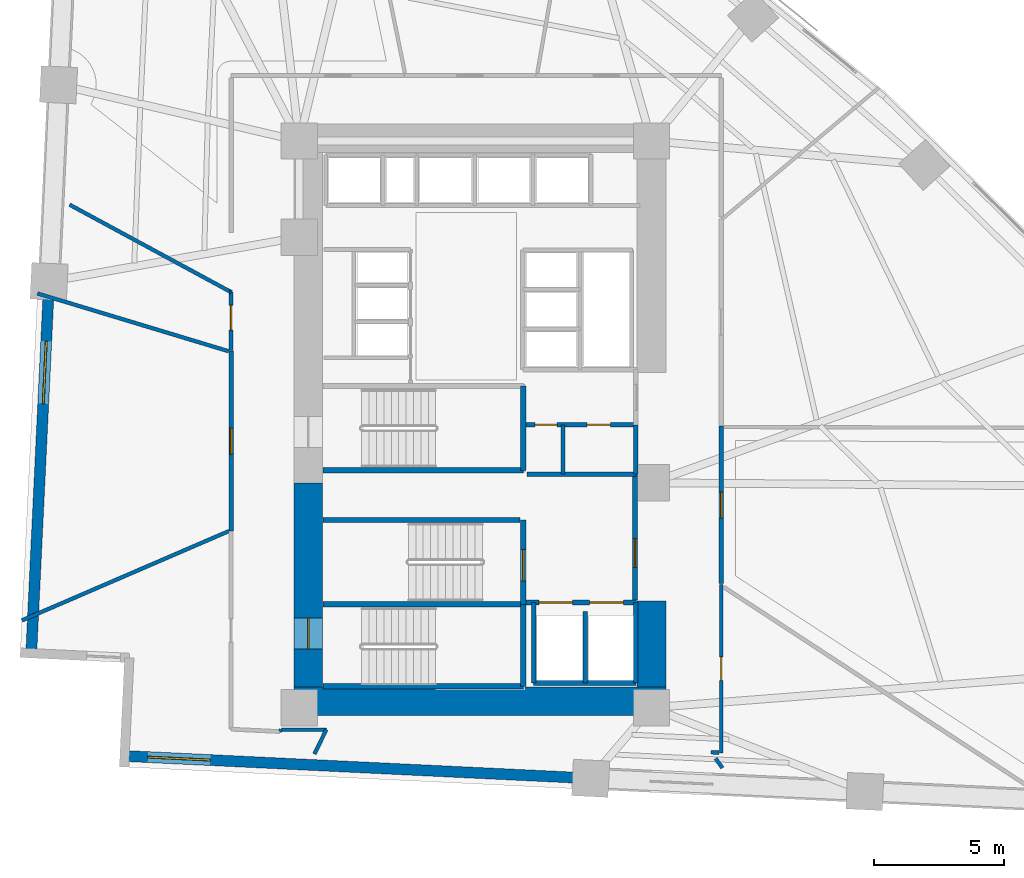
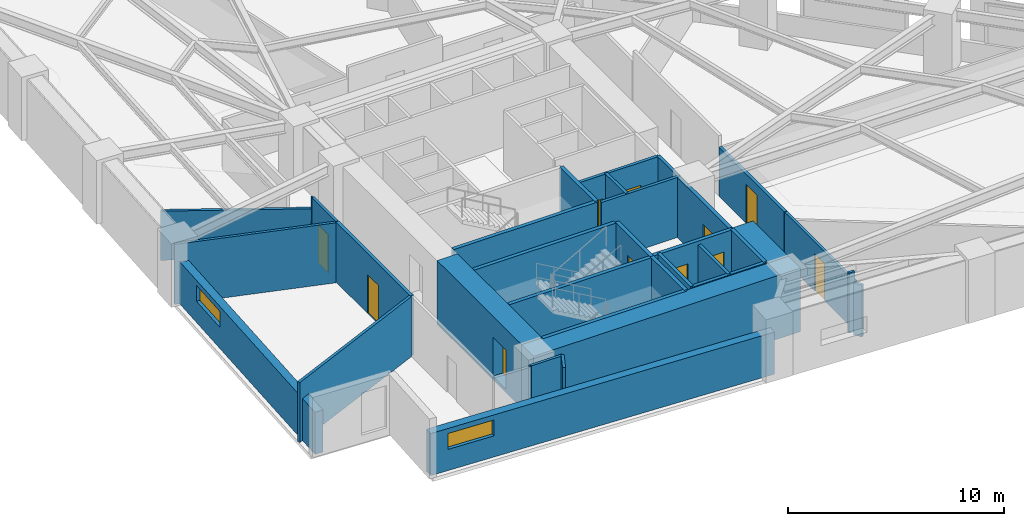
# One storey, part 13 of 17: 35 walls, 11 doors, 2 windows, 13 openings.
"""IFC4 building model written with IfcOpenShell, lengths in metres."""

from ifc_helpers import new_model, si_unit, direction, frame, frame_2d, origin, place, context, subcontext, project, spatial, rectangle, extrude, material, layer, layer_set, type_object, element, fill, save


model = new_model("IFC4")

# Units and contexts
model_context = context("Model", 3, precision=1e-05, world=origin(), true_north=direction((0.0, 1.0)))
body_context = subcontext(model_context, "Body", "Model", "MODEL_VIEW")
ifc_project = project(units=[si_unit("LENGTHUNIT", "METRE"), si_unit("AREAUNIT", "SQUARE_METRE"), si_unit("VOLUMEUNIT", "CUBIC_METRE"), si_unit("PLANEANGLEUNIT", "RADIAN"), si_unit("MASSUNIT", "GRAM", prefix="KILO")], contexts=[model_context])

# Site, building, storey
site_placement = place(None, origin())
site = spatial("IfcSite", under=ifc_project, at=site_placement, CompositionType="ELEMENT")
building_placement = place(site_placement, origin())
building = spatial("IfcBuilding", under=site, at=building_placement, Name="Narakoshi Arena Tower", CompositionType="ELEMENT")
storey_placement = place(building_placement, frame((0.0, 0.0, 41.10009765625)))
storey = spatial("IfcBuildingStorey", under=building, at=storey_placement, Name="L10", CompositionType="ELEMENT", Elevation=41.10009765625)

# Wall, opening, door
ifc_material_1 = material(Name="Concrete C60/75", Category="concrete")
ifc_layer_1 = layer(ifc_material_1, 1.10009765625)
ifc_layer_set_1 = layer_set([ifc_layer_1], Name="Concrete C60/75")
wall_type_1 = type_object("IfcWallType", Name="WL-CORE-1100", PredefinedType="SHEAR", material=ifc_layer_set_1)
wall_1_placement = place(storey_placement, frame((72.35009765625, 35.5, -0.2001953125), z_axis=(0.0, 0.0, 1.0), x_axis=(0.0, 1.0, 0.0)))
wall_1 = element("IfcWall", 1, at=wall_1_placement, inside=storey, type_object=wall_type_1, Name="L10 Central Core Shear Wall CW-APX-W", PredefinedType="SHEAR", context=body_context, shape_type="SweptSolid", body=[
    extrude(rectangle(XDim=7.85009765625, YDim=1.10009765625, at=frame_2d((3.925048828125, 0.0))), origin(), (0.0, 0.0, 1.0), 3.60009765625),
])
opening_1_placement = place(wall_1_placement, frame((1.449951171875, 0.0, 0.199951171875)))
opening_1 = element("IfcOpeningElement", 2, at=opening_1_placement, cuts=wall_1, Name="Opening D-03", PredefinedType="OPENING", context=body_context, shape_type="SweptSolid", body=[
    extrude(rectangle(XDim=1.199951171875, YDim=2.199951171875, at=frame_2d((0.60009765625, 1.10009765625))), frame((0.0, 0.56005859375, 0.0), z_axis=(0.0, -1.0, 0.0), x_axis=(1.0, 0.0, 0.0)), (0.0, 0.0, 1.0), 1.1201171875),
])
ifc_material_2 = material(Name="Painted galvanized steel", Category="steel")
door_type_1 = type_object("IfcDoorType", Name="DR-STR-1200", OperationType="NOTDEFINED", PredefinedType="USERDEFINED", material=ifc_material_2)
door_1_placement = place(opening_1_placement, frame((1.199951171875, 0.0, 0.0), z_axis=(0.0, 0.0, 1.0), x_axis=(-1.0, 0.0, 0.0)))
door_1 = element("IfcDoor", 3, at=door_1_placement, inside=storey, type_object=door_type_1, Name="DR-L10-001", ObjectType="EXITDOOR", OperationType="SINGLE_SWING_LEFT", OverallHeight=2.199951171875, OverallWidth=1.199951171875, PredefinedType="USERDEFINED", context=body_context, shape_type="SweptSolid", body=[
    extrude(rectangle(XDim=1.199951171875, YDim=2.199951171875, at=frame_2d((0.60009765625, 1.10009765625))), frame((0.0, 0.02490234375, 0.0), z_axis=(0.0, -1.0, 0.0), x_axis=(1.0, 0.0, 0.0)), (0.0, 0.0, 1.0), 0.050048828125),
])
fill(opening_1, door_1)

# Walls
wall_2_placement = place(storey_placement, frame((71.800048828125, 34.949951171875, -0.2001953125), z_axis=(0.0, 0.0, 1.0), x_axis=(1.0, 0.0, 0.0)))
element("IfcWall", 4, at=wall_2_placement, inside=storey, type_object=wall_type_1, Name="L10 Central Core Shear Wall CW-APX-S", PredefinedType="SHEAR", context=body_context, shape_type="SweptSolid", body=[
    extrude(rectangle(XDim=14.300048828125, YDim=1.10009765625, at=frame_2d((7.14990234375, 0.0))), origin(), (0.0, 0.0, 1.0), 3.60009765625),
])
wall_3_placement = place(storey_placement, frame((85.550048828125, 35.5, -0.2001953125), z_axis=(0.0, 0.0, 1.0), x_axis=(0.0, 1.0, 0.0)))
element("IfcWall", 5, at=wall_3_placement, inside=storey, type_object=wall_type_1, Name="L10 Central Core Shear Wall CW-APX-E", PredefinedType="SHEAR", context=body_context, shape_type="SweptSolid", body=[
    extrude(rectangle(XDim=3.300048828125, YDim=1.10009765625, at=frame_2d((1.64990234375, 0.0))), origin(), (0.0, 0.0, 1.0), 3.60009765625),
])

# Wall, opening, door
ifc_material_3 = material(Name="Gypsum plasterboard fire-rated partition")
ifc_layer_2 = layer(ifc_material_3, 0.1650390625)
ifc_layer_set_2 = layer_set([ifc_layer_2], Name="Gypsum plasterboard fire-rated partition")
wall_type_2 = type_object("IfcWallType", Name="WL-CORR-165", PredefinedType="PARTITIONING", material=ifc_layer_set_2)
wall_4_placement = place(storey_placement, frame((69.3798828125, 48.416015625, 0.0), z_axis=(0.0, 0.0, 1.0), x_axis=(0.0, -1.0, 0.0)))
wall_4 = element("IfcWall", 6, at=wall_4_placement, inside=storey, type_object=wall_type_2, Name="L10 Corridor Partition 01-1", PredefinedType="PARTITIONING", context=body_context, shape_type="SweptSolid", body=[
    extrude(rectangle(XDim=6.921142578125, YDim=0.1650390625, at=frame_2d((3.46044921875, 0.0))), origin(), (0.0, 0.0, 1.0), 3.39990234375),
])
opening_2_placement = place(wall_4_placement, frame((2.960693359375, 0.0, 0.0)))
opening_2 = element("IfcOpeningElement", 7, at=opening_2_placement, cuts=wall_4, Name="Opening D-06", PredefinedType="OPENING", context=body_context, shape_type="SweptSolid", body=[
    extrude(rectangle(XDim=1.0, YDim=2.199951171875, at=frame_2d((0.5, 1.10009765625))), frame((0.0, 0.092529296875, 0.0), z_axis=(0.0, -1.0, 0.0), x_axis=(1.0, 0.0, 0.0)), (0.0, 0.0, 1.0), 0.18505859375),
])
ifc_material_4 = material(Name="Stained oak solid-core timber", Category="wood")
door_type_2 = type_object("IfcDoorType", Name="DR-OFF-1000", OperationType="NOTDEFINED", PredefinedType="DOOR", material=ifc_material_4)
door_2_placement = place(opening_2_placement, frame((1.0, 0.0, 0.0), z_axis=(0.0, 0.0, 1.0), x_axis=(-1.0, 0.0, 0.0)))
door_2 = element("IfcDoor", 8, at=door_2_placement, inside=storey, type_object=door_type_2, Name="DR-L10-014", OperationType="SINGLE_SWING_RIGHT", OverallHeight=2.199951171875, OverallWidth=1.0, PredefinedType="DOOR", context=body_context, shape_type="SweptSolid", body=[
    extrude(rectangle(XDim=1.0, YDim=2.199951171875, at=frame_2d((0.5, 1.10009765625))), frame((0.0, 0.02490234375, 0.0), z_axis=(0.0, -1.0, 0.0), x_axis=(1.0, 0.0, 0.0)), (0.0, 0.0, 1.0), 0.050048828125),
])
fill(opening_2, door_2)

wall_5_placement = place(storey_placement, frame((88.237548828125, 39.46728515625, 0.0), z_axis=(0.0, 0.0, 1.0), x_axis=(0.0, 1.0, 0.0)))
wall_5 = element("IfcWall", 9, at=wall_5_placement, inside=storey, type_object=wall_type_2, Name="L10 Corridor Partition 04-1", PredefinedType="PARTITIONING", context=body_context, shape_type="SweptSolid", body=[
    extrude(rectangle(XDim=6.06298828125, YDim=0.1650390625, at=frame_2d((3.031494140625, 0.0))), origin(), (0.0, 0.0, 1.0), 2.784912109375),
])
opening_3_placement = place(wall_5_placement, frame((2.531494140625, 0.0, 0.0)))
opening_3 = element("IfcOpeningElement", 10, at=opening_3_placement, cuts=wall_5, Name="Opening D-06", PredefinedType="OPENING", context=body_context, shape_type="SweptSolid", body=[
    extrude(rectangle(XDim=1.0, YDim=2.199951171875, at=frame_2d((0.5, 1.10009765625))), frame((0.0, 0.092529296875, 0.0), z_axis=(0.0, -1.0, 0.0), x_axis=(1.0, 0.0, 0.0)), (0.0, 0.0, 1.0), 0.18505859375),
])
door_3_placement = place(opening_3_placement, frame((1.0, 0.0, 0.0), z_axis=(0.0, 0.0, 1.0), x_axis=(-1.0, 0.0, 0.0)))
door_3 = element("IfcDoor", 11, at=door_3_placement, inside=storey, type_object=door_type_2, Name="DR-L10-017", OperationType="SINGLE_SWING_LEFT", OverallHeight=2.199951171875, OverallWidth=1.0, PredefinedType="DOOR", context=body_context, shape_type="SweptSolid", body=[
    extrude(rectangle(XDim=1.0, YDim=2.199951171875, at=frame_2d((0.5, 1.10009765625))), frame((0.0, 0.02490234375, 0.0), z_axis=(0.0, -1.0, 0.0), x_axis=(1.0, 0.0, 0.0)), (0.0, 0.0, 1.0), 0.050048828125),
])
fill(opening_3, door_3)

# Wall, opening, window
ifc_material_5 = material(Name="Precast concrete C45/55", Category="concrete")
ifc_layer_3 = layer(ifc_material_5, 0.419921875)
ifc_layer_set_3 = layer_set([ifc_layer_3], Name="Precast concrete C45/55")
wall_type_3 = type_object("IfcWallType", Name="WL-POD-420", PredefinedType="SOLIDWALL", material=ifc_layer_set_3)
wall_6_placement = place(storey_placement, frame((65.28076171875, 32.840576171875, 0.0), z_axis=(0.0, 0.0, 1.0), x_axis=(0.998848298084, -0.047979968897, 0.0)))
wall_6 = element("IfcWall", 12, at=wall_6_placement, inside=storey, type_object=wall_type_3, Name="L10 Architectural Concrete Facade Wall LEGA-1", PredefinedType="SOLIDWALL", context=body_context, shape_type="SweptSolid", body=[
    extrude(rectangle(XDim=17.951904296875, YDim=0.419921875, at=frame_2d((8.97607421875, 0.0))), origin(), (0.0, 0.0, 1.0), 2.385009765625),
])
opening_4_placement = place(wall_6_placement, frame((0.89990234375, 0.0, 1.199951171875)))
opening_4 = element("IfcOpeningElement", 13, at=opening_4_placement, cuts=wall_6, Name="Opening WN-01", PredefinedType="OPENING", context=body_context, shape_type="SweptSolid", body=[
    extrude(rectangle(XDim=2.39990234375, YDim=0.89990234375, at=frame_2d((1.199951171875, 0.449951171875))), frame((0.0, 0.219970703125, 0.0), z_axis=(0.0, -1.0, 0.0), x_axis=(1.0, 0.0, 0.0)), (0.0, 0.0, 1.0), 0.43994140625),
])
ifc_material_6 = material(Name="Bronze-tinted low-E laminated glass", Category="glass")
window_type = type_object("IfcWindowType", Name="WIN-SLT-24x09", PartitioningType="SINGLE_PANEL", PredefinedType="WINDOW", material=ifc_material_6)
window_1_placement = place(opening_4_placement, origin())
window_1 = element("IfcWindow", 14, at=window_1_placement, inside=storey, type_object=window_type, Name="L10 LEGA1 Horizontal Slot Window 1", OverallHeight=0.89990234375, OverallWidth=2.39990234375, PartitioningType="SINGLE_PANEL", PredefinedType="WINDOW", context=body_context, shape_type="SweptSolid", body=[
    extrude(rectangle(XDim=2.39990234375, YDim=0.89990234375, at=frame_2d((1.199951171875, 0.449951171875))), frame((0.0, 0.030029296875, 0.0), z_axis=(0.0, -1.0, 0.0), x_axis=(1.0, 0.0, 0.0)), (0.0, 0.0, 1.0), 0.06005859375),
])
fill(opening_4, window_1)

wall_7_placement = place(storey_placement, frame((62.3779296875, 51.08984375, 0.0), z_axis=(0.0, 0.0, 1.0), x_axis=(-0.047978424452, -0.99884837227, 0.0)))
wall_7 = element("IfcWall", 15, at=wall_7_placement, inside=storey, type_object=wall_type_3, Name="L10 Architectural Concrete Facade Wall LEGB-3", PredefinedType="SOLIDWALL", context=body_context, shape_type="SweptSolid", body=[
    extrude(rectangle(XDim=14.314208984375, YDim=0.419921875, at=frame_2d((7.1572265625, 0.0))), origin(), (0.0, 0.0, 1.0), 2.385009765625),
])
opening_5_placement = place(wall_7_placement, frame((2.300048828125, 0.0, 1.199951171875)))
opening_5 = element("IfcOpeningElement", 16, at=opening_5_placement, cuts=wall_7, Name="Opening WN-01", PredefinedType="OPENING", context=body_context, shape_type="SweptSolid", body=[
    extrude(rectangle(XDim=2.39990234375, YDim=0.89990234375, at=frame_2d((1.199951171875, 0.449951171875))), frame((0.0, 0.219970703125, 0.0), z_axis=(0.0, -1.0, 0.0), x_axis=(1.0, 0.0, 0.0)), (0.0, 0.0, 1.0), 0.43994140625),
])
window_2_placement = place(opening_5_placement, origin())
window_2 = element("IfcWindow", 17, at=window_2_placement, inside=storey, type_object=window_type, Name="L10 LEGB3 Horizontal Slot Window 1", OverallHeight=0.89990234375, OverallWidth=2.39990234375, PartitioningType="SINGLE_PANEL", PredefinedType="WINDOW", context=body_context, shape_type="SweptSolid", body=[
    extrude(rectangle(XDim=2.39990234375, YDim=0.89990234375, at=frame_2d((1.199951171875, 0.449951171875))), frame((0.0, 0.030029296875, 0.0), z_axis=(0.0, -1.0, 0.0), x_axis=(1.0, 0.0, 0.0)), (0.0, 0.0, 1.0), 0.06005859375),
])
fill(opening_5, window_2)

# Walls
ifc_material_7 = material(Name="Concrete C40/50", Category="concrete")
ifc_layer_4 = layer(ifc_material_7, 0.280029296875)
ifc_layer_set_4 = layer_set([ifc_layer_4], Name="Concrete C40/50")
wall_type_4 = type_object("IfcWallType", Name="WL-RISER-280", PredefinedType="PLUMBINGWALL", material=ifc_layer_set_4)
wall_8_placement = place(storey_placement, frame((83.0, 35.64990234375, 0.0), z_axis=(0.0, 0.0, 1.0), x_axis=(0.0, 1.0, 0.0)))
element("IfcWall", 18, at=wall_8_placement, inside=storey, type_object=wall_type_4, Name="L10 Core Wall FF-DIV", PredefinedType="PLUMBINGWALL", context=body_context, shape_type="SweptSolid", body=[
    extrude(rectangle(XDim=2.75, YDim=0.159912109375, at=frame_2d((1.375, 0.0))), origin(), (0.0, 0.0, 1.0), 3.39990234375),
])
wall_9_placement = place(storey_placement, frame((84.949951171875, 43.679931640625, 0.0), z_axis=(0.0, 0.0, 1.0), x_axis=(0.0, 1.0, 0.0)))
element("IfcWall", 19, at=wall_9_placement, inside=storey, type_object=wall_type_4, Name="L10 Core Wall RSR-E", PredefinedType="PLUMBINGWALL", context=body_context, shape_type="SweptSolid", body=[
    extrude(rectangle(XDim=1.900146484375, YDim=0.1650390625, at=frame_2d((0.9501953125, 0.0))), origin(), (0.0, 0.0, 1.0), 3.39990234375),
])

# Wall, openings, doors
wall_10_placement = place(storey_placement, frame((80.719970703125, 45.580078125, 0.0), z_axis=(0.0, 0.0, 1.0), x_axis=(1.0, 0.0, 0.0)))
wall_10 = element("IfcWall", 20, at=wall_10_placement, inside=storey, type_object=wall_type_4, Name="L10 Core Wall RSR-N", PredefinedType="PLUMBINGWALL", context=body_context, shape_type="SweptSolid", body=[
    extrude(rectangle(XDim=4.22998046875, YDim=0.159912109375, at=frame_2d((2.114990234375, 0.0))), origin(), (0.0, 0.0, 1.0), 3.39990234375),
])
opening_6_placement = place(wall_10_placement, frame((0.35009765625, 0.0, 0.0)))
opening_6 = element("IfcOpeningElement", 21, at=opening_6_placement, cuts=wall_10, Name="Opening D-10", PredefinedType="OPENING", context=body_context, shape_type="SweptSolid", body=[
    extrude(rectangle(XDim=0.85009765625, YDim=2.050048828125, at=frame_2d((0.425048828125, 1.02490234375))), frame((0.0, 0.08984375, 0.0), z_axis=(0.0, -1.0, 0.0), x_axis=(1.0, 0.0, 0.0)), (0.0, 0.0, 1.0), 0.179931640625),
])
opening_7_placement = place(wall_10_placement, frame((2.35009765625, 0.0, 0.0)))
opening_7 = element("IfcOpeningElement", 22, at=opening_7_placement, cuts=wall_10, Name="Opening D-08", PredefinedType="OPENING", context=body_context, shape_type="SweptSolid", body=[
    extrude(rectangle(XDim=0.89990234375, YDim=2.10009765625, at=frame_2d((0.449951171875, 1.050048828125))), frame((0.0, 0.08984375, 0.0), z_axis=(0.0, -1.0, 0.0), x_axis=(1.0, 0.0, 0.0)), (0.0, 0.0, 1.0), 0.179931640625),
])
door_type_3 = type_object("IfcDoorType", Name="DR-RSR-850", OperationType="NOTDEFINED", PredefinedType="DOOR", material=ifc_material_2)
door_4_placement = place(opening_6_placement, frame((0.85009765625, 0.0, 0.0), z_axis=(0.0, 0.0, 1.0), x_axis=(-1.0, 0.0, 0.0)))
door_4 = element("IfcDoor", 23, at=door_4_placement, inside=storey, type_object=door_type_3, Name="DR-L10-008", OperationType="SINGLE_SWING_LEFT", OverallHeight=2.050048828125, OverallWidth=0.85009765625, PredefinedType="DOOR", context=body_context, shape_type="SweptSolid", body=[
    extrude(rectangle(XDim=0.85009765625, YDim=2.050048828125, at=frame_2d((0.425048828125, 1.02490234375))), frame((0.0, 0.02490234375, 0.0), z_axis=(0.0, -1.0, 0.0), x_axis=(1.0, 0.0, 0.0)), (0.0, 0.0, 1.0), 0.050048828125),
])
fill(opening_6, door_4)
ifc_material_8 = material(Name="Moisture-resistant laminate timber", Category="wood")
door_type_4 = type_object("IfcDoorType", Name="DR-WC-900", OperationType="NOTDEFINED", PredefinedType="DOOR", material=ifc_material_8)
door_5_placement = place(opening_7_placement, frame((0.89990234375, 0.0, 0.0), z_axis=(0.0, 0.0, 1.0), x_axis=(-1.0, 0.0, 0.0)))
door_5 = element("IfcDoor", 24, at=door_5_placement, inside=storey, type_object=door_type_4, Name="DR-L10-009", OperationType="SINGLE_SWING_RIGHT", OverallHeight=2.10009765625, OverallWidth=0.89990234375, PredefinedType="DOOR", context=body_context, shape_type="SweptSolid", body=[
    extrude(rectangle(XDim=0.89990234375, YDim=2.10009765625, at=frame_2d((0.449951171875, 1.050048828125))), frame((0.0, 0.02490234375, 0.0), z_axis=(0.0, -1.0, 0.0), x_axis=(1.0, 0.0, 0.0)), (0.0, 0.0, 1.0), 0.050048828125),
])
fill(opening_7, door_5)

# Walls
wall_11_placement = place(storey_placement, frame((80.760009765625, 43.679931640625, 0.0), z_axis=(0.0, 0.0, 1.0), x_axis=(1.0, 0.0, 0.0)))
element("IfcWall", 25, at=wall_11_placement, inside=storey, type_object=wall_type_4, Name="L10 Core Wall RSR-S", PredefinedType="PLUMBINGWALL", context=body_context, shape_type="SweptSolid", body=[
    extrude(rectangle(XDim=4.18994140625, YDim=0.159912109375, at=frame_2d((2.094970703125, 0.0))), origin(), (0.0, 0.0, 1.0), 3.39990234375),
])
wall_12_placement = place(storey_placement, frame((82.14990234375, 43.679931640625, 0.0), z_axis=(0.0, 0.0, 1.0), x_axis=(0.0, 1.0, 0.0)))
element("IfcWall", 26, at=wall_12_placement, inside=storey, type_object=wall_type_4, Name="L10 Core Wall RSR-M", PredefinedType="PLUMBINGWALL", context=body_context, shape_type="SweptSolid", body=[
    extrude(rectangle(XDim=1.900146484375, YDim=0.159912109375, at=frame_2d((0.9501953125, 0.0))), origin(), (0.0, 0.0, 1.0), 3.39990234375),
])
ifc_material_9 = material(Name="Concrete C50/60", Category="concrete")
ifc_layer_5 = layer(ifc_material_9, 0.35009765625)
ifc_layer_set_5 = layer_set([ifc_layer_5], Name="Concrete C50/60")
wall_type_5 = type_object("IfcWallType", Name="WL-SHAFT-350", PredefinedType="SOLIDWALL", material=ifc_layer_set_5)
for number, where, z_axis, x_axis, name in (
    (27, (72.919921875, 35.52001953125, -0.2001953125), (0.0, 0.0, 1.0), (1.0, 0.0, 0.0), "L10 Core Wall ST1-S"),
    (28, (72.919921875, 38.675048828125, -0.2001953125), (0.0, 0.0, 1.0), (1.0, 0.0, 0.0), "L10 Core Wall ST12-DIV"),
):
    element("IfcWall", number, at=place(storey_placement, frame(where, z_axis=z_axis, x_axis=x_axis)), inside=storey, type_object=wall_type_5, Name=name, PredefinedType="SOLIDWALL", context=body_context, shape_type="SweptSolid", body=[
        extrude(rectangle(XDim=7.7001953125, YDim=0.199951171875, at=frame_2d((3.85009765625, 0.0))), origin(), (0.0, 0.0, 1.0), 3.60009765625),
    ])
wall_13_placement = place(storey_placement, frame((80.6201171875, 35.52001953125, -0.2001953125), z_axis=(0.0, 0.0, 1.0), x_axis=(0.0, 1.0, 0.0)))
element("IfcWall", 29, at=wall_13_placement, inside=storey, type_object=wall_type_5, Name="L10 Core Wall ST1-E", PredefinedType="SOLIDWALL", context=body_context, shape_type="SweptSolid", body=[
    extrude(rectangle(XDim=3.155029296875, YDim=0.199951171875, at=frame_2d((1.57763671875, 0.0))), origin(), (0.0, 0.0, 1.0), 3.60009765625),
])

# Wall, opening, door
wall_14_placement = place(storey_placement, frame((80.6201171875, 38.675048828125, -0.2001953125), z_axis=(0.0, 0.0, 1.0), x_axis=(0.0, 1.0, 0.0)))
wall_14 = element("IfcWall", 30, at=wall_14_placement, inside=storey, type_object=wall_type_5, Name="L10 Core Wall ST2-E", PredefinedType="SOLIDWALL", context=body_context, shape_type="SweptSolid", body=[
    extrude(rectangle(XDim=3.244873046875, YDim=0.199951171875, at=frame_2d((1.62255859375, 0.0))), origin(), (0.0, 0.0, 1.0), 3.60009765625),
])
opening_8_placement = place(wall_14_placement, frame((0.89990234375, 0.0, 0.199951171875)))
opening_8 = element("IfcOpeningElement", 31, at=opening_8_placement, cuts=wall_14, Name="Opening D-03", PredefinedType="OPENING", context=body_context, shape_type="SweptSolid", body=[
    extrude(rectangle(XDim=1.199951171875, YDim=2.199951171875, at=frame_2d((0.60009765625, 1.10009765625))), frame((0.0, 0.10986328125, 0.0), z_axis=(0.0, -1.0, 0.0), x_axis=(1.0, 0.0, 0.0)), (0.0, 0.0, 1.0), 0.219970703125),
])
door_6_placement = place(opening_8_placement, origin())
door_6 = element("IfcDoor", 32, at=door_6_placement, inside=storey, type_object=door_type_1, Name="DR-L10-002", ObjectType="EXITDOOR", OperationType="SINGLE_SWING_RIGHT", OverallHeight=2.199951171875, OverallWidth=1.199951171875, PredefinedType="USERDEFINED", context=body_context, shape_type="SweptSolid", body=[
    extrude(rectangle(XDim=1.199951171875, YDim=2.199951171875, at=frame_2d((0.60009765625, 1.10009765625))), frame((0.0, 0.02490234375, 0.0), z_axis=(0.0, -1.0, 0.0), x_axis=(1.0, 0.0, 0.0)), (0.0, 0.0, 1.0), 0.050048828125),
])
fill(opening_8, door_6)

# Wall, openings, doors
wall_15_placement = place(storey_placement, frame((80.719970703125, 38.75, 0.0), z_axis=(0.0, 0.0, 1.0), x_axis=(1.0, 0.0, 0.0)))
wall_15 = element("IfcWall", 33, at=wall_15_placement, inside=storey, type_object=wall_type_5, Name="L10 Core Wall FF-N", PredefinedType="SOLIDWALL", context=body_context, shape_type="SweptSolid", body=[
    extrude(rectangle(XDim=4.260009765625, YDim=0.199951171875, at=frame_2d((2.1298828125, 0.0))), origin(), (0.0, 0.0, 1.0), 3.39990234375),
])
opening_9_placement = place(wall_15_placement, frame((0.5, 0.0, 0.0)))
opening_9 = element("IfcOpeningElement", 34, at=opening_9_placement, cuts=wall_15, Name="Opening LD-02", PredefinedType="OPENING", context=body_context, shape_type="SweptSolid", body=[
    extrude(rectangle(XDim=1.300048828125, YDim=2.300048828125, at=frame_2d((0.64990234375, 1.14990234375))), frame((0.0, 0.10986328125, 0.0), z_axis=(0.0, -1.0, 0.0), x_axis=(1.0, 0.0, 0.0)), (0.0, 0.0, 1.0), 0.219970703125),
])
opening_10_placement = place(wall_15_placement, frame((2.449951171875, 0.0, 0.0)))
opening_10 = element("IfcOpeningElement", 35, at=opening_10_placement, cuts=wall_15, Name="Opening LD-02", PredefinedType="OPENING", context=body_context, shape_type="SweptSolid", body=[
    extrude(rectangle(XDim=1.300048828125, YDim=2.300048828125, at=frame_2d((0.64990234375, 1.14990234375))), frame((0.0, 0.10986328125, 0.0), z_axis=(0.0, -1.0, 0.0), x_axis=(1.0, 0.0, 0.0)), (0.0, 0.0, 1.0), 0.219970703125),
])
ifc_material_10 = material(Name="Brushed bronze stainless steel", Category="steel")
door_type_5 = type_object("IfcDoorType", Name="DR-LFT-1300", OperationType="DOUBLE_DOOR_SLIDING", PredefinedType="DOOR", material=ifc_material_10)
door_7_placement = place(opening_9_placement, origin())
door_7 = element("IfcDoor", 36, at=door_7_placement, inside=storey, type_object=door_type_5, Name="DR-L10-003", OperationType="DOUBLE_DOOR_SLIDING", OverallHeight=2.300048828125, OverallWidth=1.300048828125, PredefinedType="DOOR", context=body_context, shape_type="SweptSolid", body=[
    extrude(rectangle(XDim=1.300048828125, YDim=2.300048828125, at=frame_2d((0.64990234375, 1.14990234375))), frame((0.0, 0.02490234375, 0.0), z_axis=(0.0, -1.0, 0.0), x_axis=(1.0, 0.0, 0.0)), (0.0, 0.0, 1.0), 0.050048828125),
])
fill(opening_9, door_7)
door_8_placement = place(opening_10_placement, origin())
door_8 = element("IfcDoor", 37, at=door_8_placement, inside=storey, type_object=door_type_5, Name="DR-L10-004", OperationType="DOUBLE_DOOR_SLIDING", OverallHeight=2.300048828125, OverallWidth=1.300048828125, PredefinedType="DOOR", context=body_context, shape_type="SweptSolid", body=[
    extrude(rectangle(XDim=1.300048828125, YDim=2.300048828125, at=frame_2d((0.64990234375, 1.14990234375))), frame((0.0, 0.02490234375, 0.0), z_axis=(0.0, -1.0, 0.0), x_axis=(1.0, 0.0, 0.0)), (0.0, 0.0, 1.0), 0.050048828125),
])
fill(opening_10, door_8)

# Walls
for number, where, z_axis, x_axis, name in (
    (38, (84.949951171875, 35.64990234375, 0.0), (0.0, 0.0, 1.0), (0.0, 1.0, 0.0), "L10 Core Wall FF-E"),
    (39, (81.02001953125, 35.64990234375, 0.0), (0.0, 0.0, 1.0), (0.0, 1.0, 0.0), "L10 Core Wall FF-W"),
):
    element("IfcWall", number, at=place(storey_placement, frame(where, z_axis=z_axis, x_axis=x_axis)), inside=storey, type_object=wall_type_5, Name=name, PredefinedType="SOLIDWALL", context=body_context, shape_type="SweptSolid", body=[
        extrude(rectangle(XDim=3.10009765625, YDim=0.179931640625, at=frame_2d((1.550048828125, 0.0))), origin(), (0.0, 0.0, 1.0), 3.39990234375),
    ])
wall_16_placement = place(storey_placement, frame((81.02001953125, 35.64990234375, 0.0), z_axis=(0.0, 0.0, 1.0), x_axis=(1.0, 0.0, 0.0)))
element("IfcWall", 40, at=wall_16_placement, inside=storey, type_object=wall_type_5, Name="L10 Core Wall FF-S", PredefinedType="SOLIDWALL", context=body_context, shape_type="SweptSolid", body=[
    extrude(rectangle(XDim=3.929931640625, YDim=0.179931640625, at=frame_2d((1.96484375, 0.0))), origin(), (0.0, 0.0, 1.0), 3.39990234375),
])

# Wall, opening, door
wall_17_placement = place(storey_placement, frame((84.919921875, 38.85009765625, 0.0), z_axis=(0.0, 0.0, 1.0), x_axis=(0.0, 1.0, 0.0)))
wall_17 = element("IfcWall", 41, at=wall_17_placement, inside=storey, type_object=wall_type_5, Name="L10 Core Wall FFLOB-E", PredefinedType="SOLIDWALL", context=body_context, shape_type="SweptSolid", body=[
    extrude(rectangle(XDim=4.829833984375, YDim=0.199951171875, at=frame_2d((2.4150390625, 0.0))), origin(), (0.0, 0.0, 1.0), 3.39990234375),
])
opening_11_placement = place(wall_17_placement, frame((1.25, 0.0, 0.0)))
opening_11 = element("IfcOpeningElement", 42, at=opening_11_placement, cuts=wall_17, Name="Opening D-04", PredefinedType="OPENING", context=body_context, shape_type="SweptSolid", body=[
    extrude(rectangle(XDim=1.10009765625, YDim=2.199951171875, at=frame_2d((0.550048828125, 1.10009765625))), frame((0.0, 0.10986328125, 0.0), z_axis=(0.0, -1.0, 0.0), x_axis=(1.0, 0.0, 0.0)), (0.0, 0.0, 1.0), 0.219970703125),
])
door_type_6 = type_object("IfcDoorType", Name="DR-FFL-1100", OperationType="NOTDEFINED", PredefinedType="DOOR", material=ifc_material_2)
door_9_placement = place(opening_11_placement, frame((1.10009765625, 0.0, 0.0), z_axis=(0.0, 0.0, 1.0), x_axis=(-1.0, 0.0, 0.0)))
door_9 = element("IfcDoor", 43, at=door_9_placement, inside=storey, type_object=door_type_6, Name="DR-L10-005", OperationType="SINGLE_SWING_RIGHT", OverallHeight=2.199951171875, OverallWidth=1.10009765625, PredefinedType="DOOR", context=body_context, shape_type="SweptSolid", body=[
    extrude(rectangle(XDim=1.10009765625, YDim=2.199951171875, at=frame_2d((0.550048828125, 1.10009765625))), frame((0.0, 0.02490234375, 0.0), z_axis=(0.0, -1.0, 0.0), x_axis=(1.0, 0.0, 0.0)), (0.0, 0.0, 1.0), 0.050048828125),
])
fill(opening_11, door_9)

# Walls
wall_18_placement = place(storey_placement, frame((72.919921875, 41.919921875, -0.2001953125), z_axis=(0.0, 0.0, 1.0), x_axis=(1.0, 0.0, 0.0)))
element("IfcWall", 44, at=wall_18_placement, inside=storey, type_object=wall_type_5, Name="L10 Core Wall ST2-N", PredefinedType="SOLIDWALL", context=body_context, shape_type="SweptSolid", body=[
    extrude(rectangle(XDim=7.580078125, YDim=0.199951171875, at=frame_2d((3.7900390625, 0.0))), origin(), (0.0, 0.0, 1.0), 3.60009765625),
])
wall_19_placement = place(storey_placement, frame((72.919921875, 43.830078125, -0.2001953125), z_axis=(0.0, 0.0, 1.0), x_axis=(1.0, 0.0, 0.0)))
element("IfcWall", 45, at=wall_19_placement, inside=storey, type_object=wall_type_5, Name="L10 Core Wall ST3-S", PredefinedType="SOLIDWALL", context=body_context, shape_type="SweptSolid", body=[
    extrude(rectangle(XDim=7.7001953125, YDim=0.199951171875, at=frame_2d((3.85009765625, 0.0))), origin(), (0.0, 0.0, 1.0), 3.60009765625),
])
wall_20_placement = place(storey_placement, frame((80.6201171875, 43.830078125, -0.2001953125), z_axis=(0.0, 0.0, 1.0), x_axis=(0.0, 1.0, 0.0)))
element("IfcWall", 46, at=wall_20_placement, inside=storey, type_object=wall_type_5, Name="L10 Core Wall ST3-E", PredefinedType="SOLIDWALL", context=body_context, shape_type="SweptSolid", body=[
    extrude(rectangle(XDim=3.239990234375, YDim=0.199951171875, at=frame_2d((1.6201171875, 0.0))), origin(), (0.0, 0.0, 1.0), 3.60009765625),
])
ifc_material_11 = material(Name="Moisture-resistant cement-board partition")
ifc_layer_6 = layer(ifc_material_11, 0.14501953125)
ifc_layer_set_6 = layer_set([ifc_layer_6], Name="Moisture-resistant cement-board partition")
wall_type_6 = type_object("IfcWallType", Name="WL-WET-145", PredefinedType="PARTITIONING", material=ifc_layer_set_6)
wall_21_placement = place(storey_placement, frame((69.3017578125, 41.494873046875, 0.0), z_axis=(0.0, 0.0, 1.0), x_axis=(-0.918109770602, -0.396326190309, 0.0)))
element("IfcWall", 47, at=wall_21_placement, inside=storey, type_object=wall_type_6, Name="L10 Inter-Room Partition 01-02", PredefinedType="PARTITIONING", context=body_context, shape_type="SweptSolid", body=[
    extrude(rectangle(XDim=8.68701171875, YDim=0.14501953125, at=frame_2d((4.343505859375, 0.0))), origin(), (0.0, 0.0, 1.0), 3.39990234375),
])
wall_22_placement = place(storey_placement, frame((61.930419921875, 50.6328125, 0.0), z_axis=(0.0, 0.0, 1.0), x_axis=(0.957227800943, -0.289335336765, 0.0)))
element("IfcWall", 48, at=wall_22_placement, inside=storey, type_object=wall_type_6, Name="L10 Inter-Room Partition 01-09", PredefinedType="PARTITIONING", context=body_context, shape_type="SweptSolid", body=[
    extrude(rectangle(XDim=7.68359375, YDim=0.14501953125, at=frame_2d((3.841796875, 0.0))), origin(), (0.0, 0.0, 1.0), 3.39990234375),
])
wall_23_placement = place(storey_placement, frame((71.25, 33.7802734375, 0.0), z_axis=(0.0, 0.0, 1.0), x_axis=(0.652100218984, 0.758132774916, 0.0)))
element("IfcWall", 49, at=wall_23_placement, inside=storey, type_object=wall_type_6, Name="L10 Corridor Partition 02-3", PredefinedType="PARTITIONING", context=body_context, shape_type="SweptSolid", body=[
    extrude(rectangle(XDim=0.092041015625, YDim=0.14501953125, at=frame_2d((0.0458984375, 0.0))), origin(), (0.0, 0.0, 1.0), 3.39990234375),
])

# Wall, opening, door
wall_24_placement = place(storey_placement, frame((88.237548828125, 32.964111328125, 0.0), z_axis=(0.0, 0.0, 1.0), x_axis=(0.0, 1.0, 0.0)))
wall_24 = element("IfcWall", 50, at=wall_24_placement, inside=storey, type_object=wall_type_6, Name="L10 Corridor Partition 03-1", PredefinedType="PARTITIONING", context=body_context, shape_type="SweptSolid", body=[
    extrude(rectangle(XDim=6.474609375, YDim=0.14501953125, at=frame_2d((3.2373046875, 0.0))), origin(), (0.0, 0.0, 1.0), 2.784912109375),
])
opening_12_placement = place(wall_24_placement, frame((2.787353515625, 0.0, 0.0)))
opening_12 = element("IfcOpeningElement", 51, at=opening_12_placement, cuts=wall_24, Name="Opening D-08", PredefinedType="OPENING", context=body_context, shape_type="SweptSolid", body=[
    extrude(rectangle(XDim=0.89990234375, YDim=2.10009765625, at=frame_2d((0.449951171875, 1.050048828125))), frame((0.0, 0.08251953125, 0.0), z_axis=(0.0, -1.0, 0.0), x_axis=(1.0, 0.0, 0.0)), (0.0, 0.0, 1.0), 0.1650390625),
])
door_10_placement = place(opening_12_placement, frame((0.89990234375, 0.0, 0.0), z_axis=(0.0, 0.0, 1.0), x_axis=(-1.0, 0.0, 0.0)))
door_10 = element("IfcDoor", 52, at=door_10_placement, inside=storey, type_object=door_type_4, Name="DR-L10-016", OperationType="SINGLE_SWING_RIGHT", OverallHeight=2.10009765625, OverallWidth=0.89990234375, PredefinedType="DOOR", context=body_context, shape_type="SweptSolid", body=[
    extrude(rectangle(XDim=0.89990234375, YDim=2.10009765625, at=frame_2d((0.449951171875, 1.050048828125))), frame((0.0, 0.02490234375, 0.0), z_axis=(0.0, -1.0, 0.0), x_axis=(1.0, 0.0, 0.0)), (0.0, 0.0, 1.0), 0.050048828125),
])
fill(opening_12, door_10)

# Wall
wall_25_placement = place(storey_placement, frame((87.84619140625, 32.98291015625, 0.0), z_axis=(0.0, 0.0, 1.0), x_axis=(0.998862737817, -0.047678412306, 0.0)))
element("IfcWall", 53, at=wall_25_placement, inside=storey, type_object=wall_type_6, Name="L10 Corridor Partition 03-2", PredefinedType="PARTITIONING", context=body_context, shape_type="SweptSolid", body=[
    extrude(rectangle(XDim=0.30712890625, YDim=0.14501953125, at=frame_2d((0.153564453125, 0.0))), origin(), (0.0, 0.0, 1.0), 3.39990234375),
])

# Wall, opening, door
wall_26_placement = place(storey_placement, frame((69.3798828125, 50.6845703125, 0.0), z_axis=(0.0, 0.0, 1.0), x_axis=(0.0, -1.0, 0.0)))
wall_26 = element("IfcWall", 54, at=wall_26_placement, inside=storey, type_object=wall_type_6, Name="L10 Corridor Partition 09-1", PredefinedType="PARTITIONING", context=body_context, shape_type="SweptSolid", body=[
    extrude(rectangle(XDim=2.243408203125, YDim=0.14501953125, at=frame_2d((1.12158203125, 0.0))), origin(), (0.0, 0.0, 1.0), 3.39990234375),
])
opening_13_placement = place(wall_26_placement, frame((0.5126953125, 0.0, 0.0)))
opening_13 = element("IfcOpeningElement", 55, at=opening_13_placement, cuts=wall_26, Name="Opening D-07", PredefinedType="OPENING", context=body_context, shape_type="SweptSolid", body=[
    extrude(rectangle(XDim=0.949951171875, YDim=2.14990234375, at=frame_2d((0.47509765625, 1.074951171875))), frame((0.0, 0.08251953125, 0.0), z_axis=(0.0, -1.0, 0.0), x_axis=(1.0, 0.0, 0.0)), (0.0, 0.0, 1.0), 0.1650390625),
])
door_type_7 = type_object("IfcDoorType", Name="DR-ACC-950", OperationType="NOTDEFINED", PredefinedType="DOOR", material=ifc_material_4)
door_11_placement = place(opening_13_placement, frame((0.949951171875, 0.0, 0.0), z_axis=(0.0, 0.0, 1.0), x_axis=(-1.0, 0.0, 0.0)))
door_11 = element("IfcDoor", 56, at=door_11_placement, inside=storey, type_object=door_type_7, Name="DR-L10-022", OperationType="SINGLE_SWING_LEFT", OverallHeight=2.14990234375, OverallWidth=0.949951171875, PredefinedType="DOOR", context=body_context, shape_type="SweptSolid", body=[
    extrude(rectangle(XDim=0.949951171875, YDim=2.14990234375, at=frame_2d((0.47509765625, 1.074951171875))), frame((0.0, 0.02490234375, 0.0), z_axis=(0.0, -1.0, 0.0), x_axis=(1.0, 0.0, 0.0)), (0.0, 0.0, 1.0), 0.050048828125),
])
fill(opening_13, door_11)

# Walls
wall_27_placement = place(storey_placement, frame((69.320068359375, 50.717041015625, 0.0), z_axis=(0.0, 0.0, 1.0), x_axis=(0.878853431666, -0.477091862904, 0.0)))
element("IfcWall", 57, at=wall_27_placement, inside=storey, type_object=wall_type_6, Name="L10 Corridor Partition 09-2", PredefinedType="PARTITIONING", context=body_context, shape_type="SweptSolid", body=[
    extrude(rectangle(XDim=0.068115234375, YDim=0.14501953125, at=frame_2d((0.0341796875, 0.0))), origin(), (0.0, 0.0, 1.0), 3.39990234375),
])
wall_28_placement = place(storey_placement, frame((71.31005859375, 33.85009765625, 0.0), z_axis=(0.0, 0.0, 1.0), x_axis=(1.0, 0.0, 0.0)))
element("IfcWall", 58, at=wall_28_placement, inside=storey, type_object=wall_type_6, Name="L10 Room Enclosure Partition 02-1", PredefinedType="PARTITIONING", context=body_context, shape_type="SweptSolid", body=[
    extrude(rectangle(XDim=1.730712890625, YDim=0.14501953125, at=frame_2d((0.865234375, 0.0))), origin(), (0.0, 0.0, 1.0), 3.39990234375),
])
wall_29_placement = place(storey_placement, frame((73.040771484375, 33.85009765625, 0.0), z_axis=(0.0, 0.0, 1.0), x_axis=(-0.439366630187, -0.898307833807, 0.0)))
element("IfcWall", 59, at=wall_29_placement, inside=storey, type_object=wall_type_6, Name="L10 Room Enclosure Partition 02-2", PredefinedType="PARTITIONING", context=body_context, shape_type="SweptSolid", body=[
    extrude(rectangle(XDim=1.03515625, YDim=0.14501953125, at=frame_2d((0.517578125, 0.0))), origin(), (0.0, 0.0, 1.0), 3.39990234375),
])
wall_30_placement = place(storey_placement, frame((88.276611328125, 32.381591796875, 0.0), z_axis=(0.0, 0.0, 1.0), x_axis=(-0.58186348953, 0.81328646832, 0.0)))
element("IfcWall", 60, at=wall_30_placement, inside=storey, type_object=wall_type_6, Name="L10 Room Enclosure Partition 03-1", PredefinedType="PARTITIONING", context=body_context, shape_type="SweptSolid", body=[
    extrude(rectangle(XDim=0.443115234375, YDim=0.14501953125, at=frame_2d((0.2216796875, 0.0))), origin(), (0.0, 0.0, 1.0), 2.934814453125),
])
wall_31_placement = place(storey_placement, frame((63.165771484375, 54.047607421875, 0.0), z_axis=(0.0, 0.0, 1.0), x_axis=(0.879472106789, -0.475950431641, 0.0)))
element("IfcWall", 61, at=wall_31_placement, inside=storey, type_object=wall_type_6, Name="L10 Room Enclosure Partition 09-1", PredefinedType="PARTITIONING", context=body_context, shape_type="SweptSolid", body=[
    extrude(rectangle(XDim=6.997802734375, YDim=0.14501953125, at=frame_2d((3.4990234375, 0.0))), origin(), (0.0, 0.0, 1.0), 2.784912109375),
])

save(model, "model.ifc")
